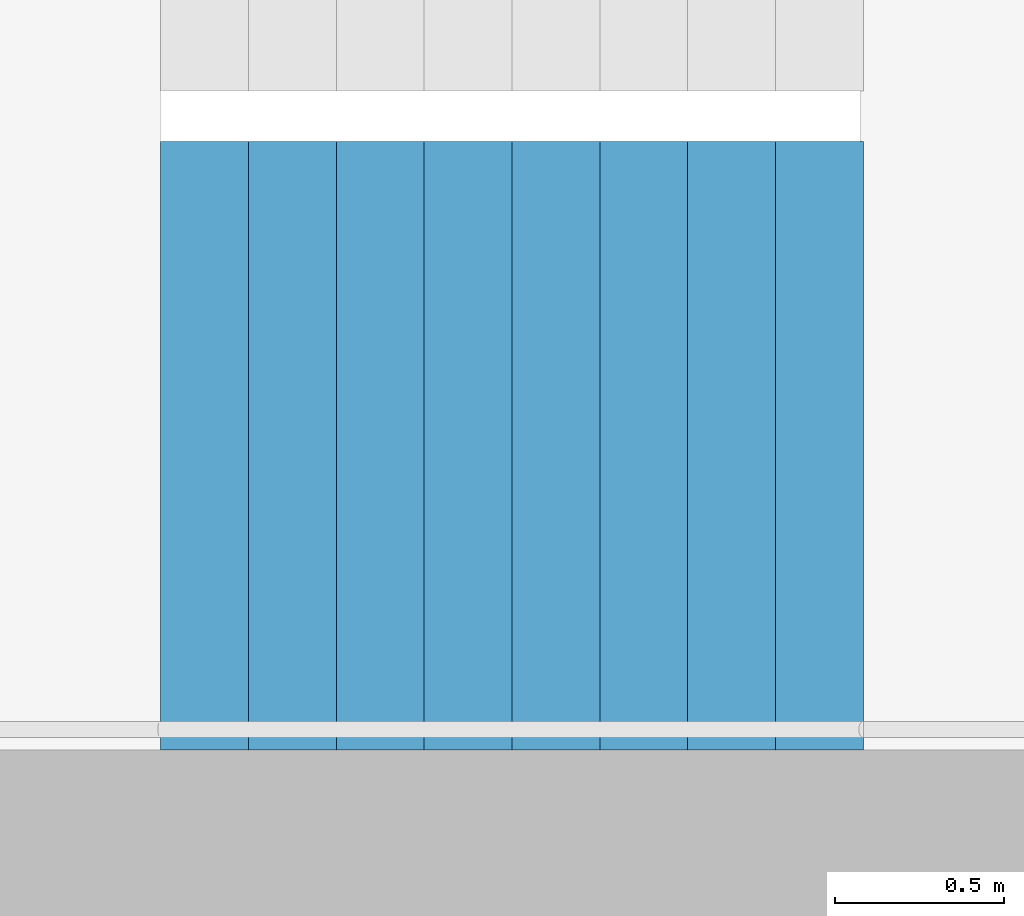
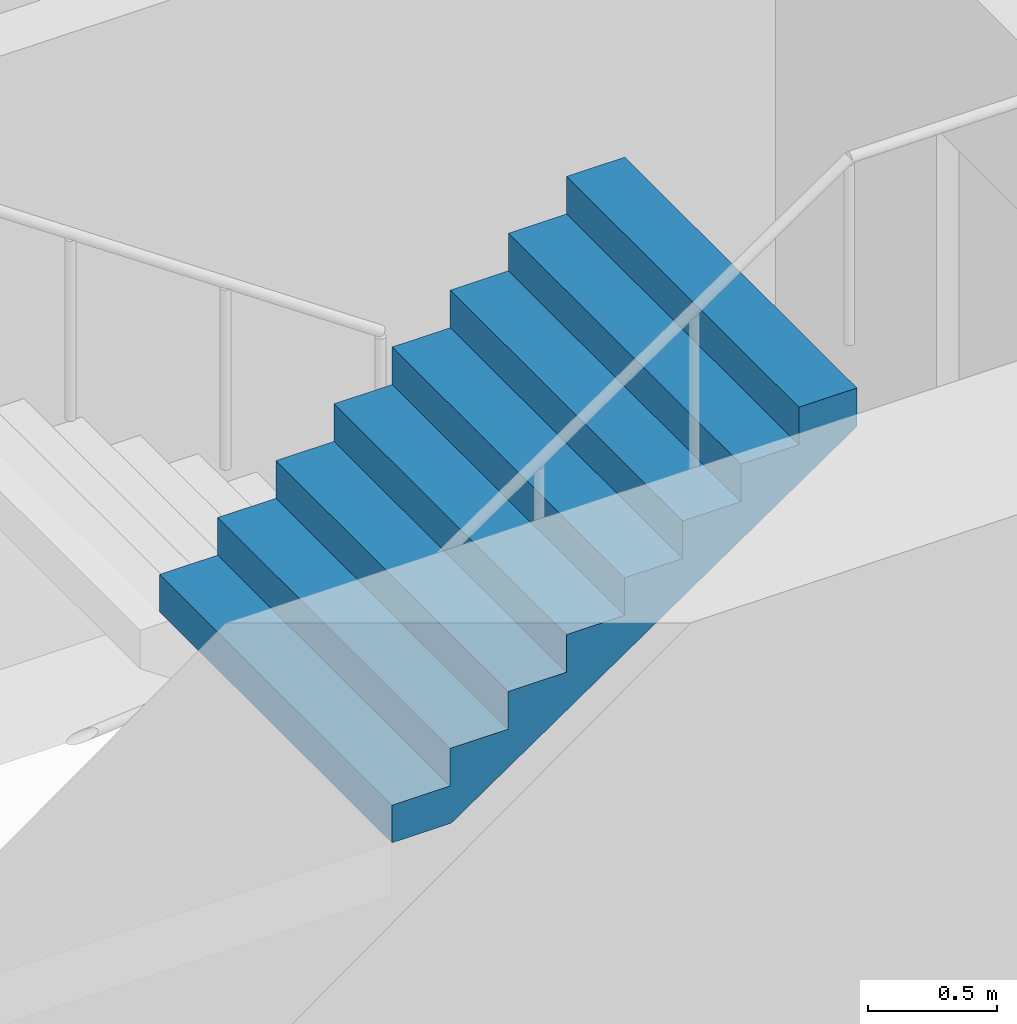
# One storey, part 18 of 26: 1 stair flight, 1 element without a shape of its own.
"""IFC4 building model written with IfcOpenShell, lengths in metres."""

import ifcopenshell
import ifcopenshell.guid

model = None  # the IFC model being written
_history = None  # IfcOwnerHistory: only IFC2X3 demands one
_inside = {}  # id of a spatial element -> (the spatial element, [elements in it])
_under = {}  # id of a project, library or spatial element -> (it, [spatial elements below it])
_declared = {}  # id of a project -> (the project, [libraries it declares])
_typed = {}  # id of a type object -> (the type object, [elements of that type])
_made_of = {}  # id of a material, layer set ... -> (it, [elements and type objects made of it])


def new_model(schema):
    """Start an empty IFC model of exactly this schema.

    Asked for "IFC4X3", IfcOpenShell would pick the latest addendum, in which some entities
    have other attributes; the version numbers below select the first issue.
    IFC2X3 requires an IfcOwnerHistory on every rooted entity: one is made here for all.
    """
    global model, _history
    if schema == "IFC4X3":
        model = ifcopenshell.file(schema_version=(4, 3, 0, 0))
    else:
        model = ifcopenshell.file(schema=schema)
    _inside.clear()
    _under.clear()
    _declared.clear()
    _typed.clear()
    _made_of.clear()
    _history = None
    if model.schema == "IFC2X3":
        org = make("IfcOrganization", Name="unknown")
        user = make(
            "IfcPersonAndOrganization",
            ThePerson=make("IfcPerson", FamilyName="unknown"),
            TheOrganization=org,
        )
        app = make(
            "IfcApplication",
            ApplicationDeveloper=org,
            Version="unknown",
            ApplicationFullName="unknown",
            ApplicationIdentifier="unknown",
        )
        _history = make(
            "IfcOwnerHistory",
            OwningUser=user,
            OwningApplication=app,
            ChangeAction="ADDED",
            CreationDate=0,
        )
    return model


def make(cls, **values):
    """One entity of the class cls with the attributes given. An attribute that is None is left unset."""
    return model.create_entity(
        cls, **{name: value for name, value in values.items() if value is not None}
    )


def rooted(cls, **values):
    """An entity with a GlobalId (a new one), such as an element, a storey or a relation."""
    return make(cls, GlobalId=ifcopenshell.guid.new(), OwnerHistory=_history, **values)


def si_unit(unit_type, name, prefix=None):
    """IfcSIUnit, for example si_unit("LENGTHUNIT", "METRE", prefix="MILLI")."""
    return make("IfcSIUnit", UnitType=unit_type, Prefix=prefix, Name=name)


def assignment(units):
    """IfcUnitAssignment: the units of a project."""
    return None if units is None else make("IfcUnitAssignment", Units=units)


def point(xyz):
    """IfcCartesianPoint."""
    return None if xyz is None else make("IfcCartesianPoint", Coordinates=xyz)


def direction(xyz):
    """IfcDirection."""
    return None if xyz is None else make("IfcDirection", DirectionRatios=xyz)


def frame(location, z_axis=None, x_axis=None):
    """IfcAxis2Placement3D, a coordinate frame: its origin and axes. An axis left out is left unset."""
    return make(
        "IfcAxis2Placement3D",
        Location=point(location),
        Axis=direction(z_axis),
        RefDirection=direction(x_axis),
    )


def origin():
    """The frame at (0, 0, 0) with its axes left unset."""
    return frame((0.0, 0.0, 0.0))


def place(relative_to, where):
    """IfcLocalPlacement: puts the frame where relative to a parent placement (None: the world)."""
    return make(
        "IfcLocalPlacement", PlacementRelTo=relative_to, RelativePlacement=where
    )


def context(
    kind, dimensions, precision=None, world=None, true_north=None, identifier=None
):
    """IfcGeometricRepresentationContext, for example the 3D "Model" context."""
    return make(
        "IfcGeometricRepresentationContext",
        ContextIdentifier=identifier,
        ContextType=kind,
        CoordinateSpaceDimension=dimensions,
        Precision=precision,
        WorldCoordinateSystem=world,
        TrueNorth=true_north,
    )


def subcontext(parent, identifier, kind, view, scale=None):
    """IfcGeometricRepresentationSubContext, for example "Body" below "Model"."""
    return make(
        "IfcGeometricRepresentationSubContext",
        ContextIdentifier=identifier,
        ContextType=kind,
        ParentContext=parent,
        TargetScale=scale,
        TargetView=view,
    )


def project(units=None, contexts=None):
    """IfcProject with its units and contexts."""
    return rooted(
        "IfcProject",
        Name="project",
        RepresentationContexts=contexts,
        UnitsInContext=assignment(units),
    )


def spatial(cls, under=None, at=None, **own):
    """A site, building, storey or space (cls), placed at a placement, below another one or the project."""
    s = rooted(cls, ObjectPlacement=at, **own)
    if under is not None:
        _under.setdefault(under.id(), (under, []))[1].append(s)
    return s


def point_list(points):
    """IfcCartesianPointList2D or 3D."""
    cls = (
        "IfcCartesianPointList2D" if len(points[0]) == 2 else "IfcCartesianPointList3D"
    )
    return make(cls, CoordList=points)


def triangles(points, corners, closed=None, point_numbers=None):
    """IfcTriangulatedFaceSet: each triangle names its three corners, points numbered from 1."""
    return make(
        "IfcTriangulatedFaceSet",
        Coordinates=point_list(points),
        Closed=closed,
        CoordIndex=corners,
        PnIndex=point_numbers,
    )


def shape(context_of_items, identifier, shape_type, items):
    """IfcShapeRepresentation: the items that make up one representation, for example the "Body"."""
    return make(
        "IfcShapeRepresentation",
        ContextOfItems=context_of_items,
        RepresentationIdentifier=identifier,
        RepresentationType=shape_type,
        Items=items,
    )


def material(Name=None, Category=None):
    """IfcMaterial."""
    return make("IfcMaterial", Name=Name, Category=Category)


def made_of(thing, what):
    """Note that an element or type object is made of a material, layer set ...; save() writes the relation."""
    if what is not None:
        _made_of.setdefault(what.id(), (what, []))[1].append(thing)
    return thing


def type_object(cls, material=None, **own):
    """A type object (cls), such as IfcWallType, which elements share."""
    return made_of(rooted(cls, **own), material)


def element(
    cls,
    number,
    at=None,
    inside=None,
    cuts=None,
    type_object=None,
    material=None,
    context=None,
    identifier="Body",
    shape_type=None,
    held_by="IfcProductDefinitionShape",
    body=None,
    shapes=None,
    **own,
):
    """One element of the class cls, such as IfcWall. Its Tag is "e" and its number.

    at: its placement. inside: the storey or other place that contains it. cuts: it is an
    opening in that element (IfcRelVoidsElement). A single representation is given by context,
    identifier, shape_type and body (its items); several are given by shapes. held_by: the class
    of the entity that holds the representations. save() writes the other relations.
    """
    e = rooted(cls, Tag="e%d" % number, ObjectPlacement=at, **own)
    if body is not None:
        shapes = [shape(context, identifier, shape_type, body)]
    if shapes is not None:
        e.Representation = make(held_by, Representations=shapes)
    if inside is not None:
        _inside.setdefault(inside.id(), (inside, []))[1].append(e)
    if cuts is not None:
        rooted(
            "IfcRelVoidsElement", RelatingBuildingElement=cuts, RelatedOpeningElement=e
        )
    if type_object is not None:
        _typed.setdefault(type_object.id(), (type_object, []))[1].append(e)
    return made_of(e, material)


def aggregate(whole, parts):
    """IfcRelAggregates: a whole, such as a stair, and the parts it consists of."""
    return rooted("IfcRelAggregates", RelatingObject=whole, RelatedObjects=parts)


def save(model, path):
    """Write the relations noted so far, then the file.

    IfcRelAggregates (storeys below a building ...), IfcRelContainedInSpatialStructure (elements
    in a storey), IfcRelDefinesByType, IfcRelAssociatesMaterial and IfcRelDeclares: one each for
    every whole, place, type object, material and project.
    """
    for whole, parts in _under.values():
        aggregate(whole, parts)
    for where, things in _inside.values():
        rooted(
            "IfcRelContainedInSpatialStructure",
            RelatedElements=things,
            RelatingStructure=where,
        )
    for kind, things in _typed.values():
        rooted("IfcRelDefinesByType", RelatedObjects=things, RelatingType=kind)
    for what, things in _made_of.values():
        rooted("IfcRelAssociatesMaterial", RelatedObjects=things, RelatingMaterial=what)
    for by, libraries in _declared.values():
        rooted("IfcRelDeclares", RelatingContext=by, RelatedDefinitions=libraries)
    model.write(path)


model = new_model("IFC4")

# Units and contexts
model_context = context("Model", 3, precision=1e-05, world=origin(), true_north=direction((0.0, 1.0)))
body_context = subcontext(model_context, "Body", "Model", "MODEL_VIEW")
ifc_project = project(units=[si_unit("LENGTHUNIT", "METRE"), si_unit("AREAUNIT", "SQUARE_METRE"), si_unit("VOLUMEUNIT", "CUBIC_METRE"), si_unit("PLANEANGLEUNIT", "RADIAN"), si_unit("MASSUNIT", "GRAM", prefix="KILO")], contexts=[model_context])

# Site, building, storey
site_placement = place(None, origin())
site = spatial("IfcSite", under=ifc_project, at=site_placement, CompositionType="ELEMENT")
building_placement = place(site_placement, origin())
building = spatial("IfcBuilding", under=site, at=building_placement, Name="Hakoniwa Tower and Hamabe Station Hall", CompositionType="ELEMENT")
storey_placement = place(building_placement, frame((0.0, 0.0, 172.60009765625)))
storey = spatial("IfcBuildingStorey", under=building, at=storey_placement, Name="L49", CompositionType="ELEMENT", Elevation=172.60009765625)

# Stair, stair flight
ifc_material_1 = material(Name="Concrete C40", Category="concrete")
stair_type = type_object("IfcStairType", Name="ESCAPE STAIR 1800", PredefinedType="HALF_TURN_STAIR", material=ifc_material_1)
stair_placement = place(storey_placement, origin())
stair = element("IfcStair", 1, at=stair_placement, inside=storey, type_object=stair_type, Name="Escape stair ST-2 L49", PredefinedType="HALF_TURN_STAIR")
ifc_material_2 = material(Name="Concrete C40", Category="concrete")
stair_flight_type = type_object("IfcStairFlightType", Name="STAIR FLIGHT 1800", PredefinedType="STRAIGHT", material=ifc_material_2)
stair_flight_placement = place(storey_placement, frame((-25.47998046875, -6.60009765625, 1.599853515625), z_axis=(0.0, 0.0, 1.0), x_axis=(1.0, 0.0, 0.0)))
stair_flight = element("IfcStairFlight", 2, at=stair_flight_placement, type_object=stair_flight_type, Name="ST-2 flight 2", NumberOfRisers=9, NumberOfTreads=8, PredefinedType="STRAIGHT", RiserHeight=0.177777778, TreadLength=0.26, context=body_context, shape_type="Tessellation", body=[
    triangles([(0.0, 0.89990234375, 0.0), (0.260009765625, 0.89990234375, 0.0), (0.265625, 0.89990234375, 0.0), (0.52001953125, 0.89990234375, 0.174072265625), (0.780029296875, 0.89990234375, 0.351806640625), (1.0400390625, 0.89990234375, 0.529541015625), (1.300048828125, 0.89990234375, 0.707275390625), (1.56005859375, 0.89990234375, 0.885009765625), (1.820068359375, 0.89990234375, 1.062744140625), (2.080078125, 0.89990234375, 1.24072265625), (2.080078125, 0.89990234375, 1.422119140625), (1.820068359375, 0.89990234375, 1.422119140625), (1.820068359375, 0.89990234375, 1.244384765625), (1.56005859375, 0.89990234375, 1.244384765625), (1.56005859375, 0.89990234375, 1.066650390625), (1.300048828125, 0.89990234375, 1.066650390625), (1.300048828125, 0.89990234375, 0.888916015625), (1.0400390625, 0.89990234375, 0.888916015625), (1.0400390625, 0.89990234375, 0.711181640625), (0.780029296875, 0.89990234375, 0.711181640625), (0.780029296875, 0.89990234375, 0.533447265625), (0.52001953125, 0.89990234375, 0.533447265625), (0.52001953125, 0.89990234375, 0.35546875), (0.265625, 0.89990234375, 0.35546875), (0.260009765625, 0.89990234375, 0.35546875), (0.260009765625, 0.89990234375, 0.177734375), (0.0, 0.89990234375, 0.177734375), (0.0, 0.06005859375, 0.0), (0.260009765625, 0.06005859375, 0.0), (0.265625, 0.06005859375, 0.0), (0.52001953125, 0.06005859375, 0.174072265625), (0.780029296875, 0.06005859375, 0.351806640625), (1.0400390625, 0.06005859375, 0.529541015625), (1.300048828125, 0.06005859375, 0.707275390625), (1.56005859375, 0.06005859375, 0.885009765625), (1.820068359375, 0.06005859375, 1.062744140625), (2.080078125, 0.06005859375, 1.24072265625), (2.080078125, 0.06005859375, 1.422119140625), (1.820068359375, 0.06005859375, 1.422119140625), (1.820068359375, 0.06005859375, 1.244384765625), (1.56005859375, 0.06005859375, 1.244384765625), (1.56005859375, 0.06005859375, 1.066650390625), (1.300048828125, 0.06005859375, 1.066650390625), (1.300048828125, 0.06005859375, 0.888916015625), (1.0400390625, 0.06005859375, 0.888916015625), (1.0400390625, 0.06005859375, 0.711181640625), (0.780029296875, 0.06005859375, 0.711181640625), (0.780029296875, 0.06005859375, 0.533447265625), (0.52001953125, 0.06005859375, 0.533447265625), (0.52001953125, 0.06005859375, 0.35546875), (0.265625, 0.06005859375, 0.35546875), (0.260009765625, 0.06005859375, 0.35546875), (0.260009765625, 0.06005859375, 0.177734375), (0.0, 0.06005859375, 0.177734375), (0.0, 0.04296875, 0.0), (0.260009765625, 0.04296875, 0.0), (0.265625, 0.04296875, 0.0), (0.52001953125, 0.04296875, 0.174072265625), (0.780029296875, 0.04296875, 0.351806640625), (1.0400390625, 0.04296875, 0.529541015625), (1.300048828125, 0.04296875, 0.707275390625), (1.56005859375, 0.04296875, 0.885009765625), (1.820068359375, 0.04296875, 1.062744140625), (2.080078125, 0.04296875, 1.24072265625), (2.080078125, 0.04296875, 1.422119140625), (1.820068359375, 0.04296875, 1.422119140625), (1.820068359375, 0.04296875, 1.244384765625), (1.56005859375, 0.04296875, 1.244384765625), (1.56005859375, 0.04296875, 1.066650390625), (1.300048828125, 0.04296875, 1.066650390625), (1.300048828125, 0.04296875, 0.888916015625), (1.0400390625, 0.04296875, 0.888916015625), (1.0400390625, 0.04296875, 0.711181640625), (0.780029296875, 0.04296875, 0.711181640625), (0.780029296875, 0.04296875, 0.533447265625), (0.52001953125, 0.04296875, 0.533447265625), (0.52001953125, 0.04296875, 0.35546875), (0.265625, 0.04296875, 0.35546875), (0.260009765625, 0.04296875, 0.35546875), (0.260009765625, 0.04296875, 0.177734375), (0.0, 0.04296875, 0.177734375), (0.0, 0.025634765625, 0.0), (0.260009765625, 0.025634765625, 0.0), (0.265625, 0.025634765625, 0.0), (0.52001953125, 0.025634765625, 0.174072265625), (0.780029296875, 0.025634765625, 0.351806640625), (1.0400390625, 0.025634765625, 0.529541015625), (1.300048828125, 0.025634765625, 0.707275390625), (1.56005859375, 0.025634765625, 0.885009765625), (1.820068359375, 0.025634765625, 1.062744140625), (2.080078125, 0.025634765625, 1.24072265625), (2.080078125, 0.025634765625, 1.422119140625), (1.820068359375, 0.025634765625, 1.422119140625), (1.820068359375, 0.025634765625, 1.244384765625), (1.56005859375, 0.025634765625, 1.244384765625), (1.56005859375, 0.025634765625, 1.066650390625), (1.300048828125, 0.025634765625, 1.066650390625), (1.300048828125, 0.025634765625, 0.888916015625), (1.0400390625, 0.025634765625, 0.888916015625), (1.0400390625, 0.025634765625, 0.711181640625), (0.780029296875, 0.025634765625, 0.711181640625), (0.780029296875, 0.025634765625, 0.533447265625), (0.52001953125, 0.025634765625, 0.533447265625), (0.52001953125, 0.025634765625, 0.35546875), (0.265625, 0.025634765625, 0.35546875), (0.260009765625, 0.025634765625, 0.35546875), (0.260009765625, 0.025634765625, 0.177734375), (0.0, 0.025634765625, 0.177734375), (0.0, 0.008544921875, 0.0), (0.260009765625, 0.008544921875, 0.0), (0.265625, 0.008544921875, 0.0), (0.52001953125, 0.008544921875, 0.174072265625), (0.780029296875, 0.008544921875, 0.351806640625), (1.0400390625, 0.008544921875, 0.529541015625), (1.300048828125, 0.008544921875, 0.707275390625), (1.56005859375, 0.008544921875, 0.885009765625), (1.820068359375, 0.008544921875, 1.062744140625), (2.080078125, 0.008544921875, 1.24072265625), (2.080078125, 0.008544921875, 1.422119140625), (1.820068359375, 0.008544921875, 1.422119140625), (1.820068359375, 0.008544921875, 1.244384765625), (1.56005859375, 0.008544921875, 1.244384765625), (1.56005859375, 0.008544921875, 1.066650390625), (1.300048828125, 0.008544921875, 1.066650390625), (1.300048828125, 0.008544921875, 0.888916015625), (1.0400390625, 0.008544921875, 0.888916015625), (1.0400390625, 0.008544921875, 0.711181640625), (0.780029296875, 0.008544921875, 0.711181640625), (0.780029296875, 0.008544921875, 0.533447265625), (0.52001953125, 0.008544921875, 0.533447265625), (0.52001953125, 0.008544921875, 0.35546875), (0.265625, 0.008544921875, 0.35546875), (0.260009765625, 0.008544921875, 0.35546875), (0.260009765625, 0.008544921875, 0.177734375), (0.0, 0.008544921875, 0.177734375), (0.0, -0.008544921875, 0.0), (0.260009765625, -0.008544921875, 0.0), (0.265625, -0.008544921875, 0.0), (0.52001953125, -0.008544921875, 0.174072265625), (0.780029296875, -0.008544921875, 0.351806640625), (1.0400390625, -0.008544921875, 0.529541015625), (1.300048828125, -0.008544921875, 0.707275390625), (1.56005859375, -0.008544921875, 0.885009765625), (1.820068359375, -0.008544921875, 1.062744140625), (2.080078125, -0.008544921875, 1.24072265625), (2.080078125, -0.008544921875, 1.422119140625), (1.820068359375, -0.008544921875, 1.422119140625), (1.820068359375, -0.008544921875, 1.244384765625), (1.56005859375, -0.008544921875, 1.244384765625), (1.56005859375, -0.008544921875, 1.066650390625), (1.300048828125, -0.008544921875, 1.066650390625), (1.300048828125, -0.008544921875, 0.888916015625), (1.0400390625, -0.008544921875, 0.888916015625), (1.0400390625, -0.008544921875, 0.711181640625), (0.780029296875, -0.008544921875, 0.711181640625), (0.780029296875, -0.008544921875, 0.533447265625), (0.52001953125, -0.008544921875, 0.533447265625), (0.52001953125, -0.008544921875, 0.35546875), (0.265625, -0.008544921875, 0.35546875), (0.260009765625, -0.008544921875, 0.35546875), (0.260009765625, -0.008544921875, 0.177734375), (0.0, -0.008544921875, 0.177734375), (0.0, -0.025634765625, 0.0), (0.260009765625, -0.025634765625, 0.0), (0.265625, -0.025634765625, 0.0), (0.52001953125, -0.025634765625, 0.174072265625), (0.780029296875, -0.025634765625, 0.351806640625), (1.0400390625, -0.025634765625, 0.529541015625), (1.300048828125, -0.025634765625, 0.707275390625), (1.56005859375, -0.025634765625, 0.885009765625), (1.820068359375, -0.025634765625, 1.062744140625), (2.080078125, -0.025634765625, 1.24072265625), (2.080078125, -0.025634765625, 1.422119140625), (1.820068359375, -0.025634765625, 1.422119140625), (1.820068359375, -0.025634765625, 1.244384765625), (1.56005859375, -0.025634765625, 1.244384765625), (1.56005859375, -0.025634765625, 1.066650390625), (1.300048828125, -0.025634765625, 1.066650390625), (1.300048828125, -0.025634765625, 0.888916015625), (1.0400390625, -0.025634765625, 0.888916015625), (1.0400390625, -0.025634765625, 0.711181640625), (0.780029296875, -0.025634765625, 0.711181640625), (0.780029296875, -0.025634765625, 0.533447265625), (0.52001953125, -0.025634765625, 0.533447265625), (0.52001953125, -0.025634765625, 0.35546875), (0.265625, -0.025634765625, 0.35546875), (0.260009765625, -0.025634765625, 0.35546875), (0.260009765625, -0.025634765625, 0.177734375), (0.0, -0.025634765625, 0.177734375), (0.0, -0.04296875, 0.0), (0.260009765625, -0.04296875, 0.0), (0.265625, -0.04296875, 0.0), (0.52001953125, -0.04296875, 0.174072265625), (0.780029296875, -0.04296875, 0.351806640625), (1.0400390625, -0.04296875, 0.529541015625), (1.300048828125, -0.04296875, 0.707275390625), (1.56005859375, -0.04296875, 0.885009765625), (1.820068359375, -0.04296875, 1.062744140625), (2.080078125, -0.04296875, 1.24072265625), (2.080078125, -0.04296875, 1.422119140625), (1.820068359375, -0.04296875, 1.422119140625), (1.820068359375, -0.04296875, 1.244384765625), (1.56005859375, -0.04296875, 1.244384765625), (1.56005859375, -0.04296875, 1.066650390625), (1.300048828125, -0.04296875, 1.066650390625), (1.300048828125, -0.04296875, 0.888916015625), (1.0400390625, -0.04296875, 0.888916015625), (1.0400390625, -0.04296875, 0.711181640625), (0.780029296875, -0.04296875, 0.711181640625), (0.780029296875, -0.04296875, 0.533447265625), (0.52001953125, -0.04296875, 0.533447265625), (0.52001953125, -0.04296875, 0.35546875), (0.265625, -0.04296875, 0.35546875), (0.260009765625, -0.04296875, 0.35546875), (0.260009765625, -0.04296875, 0.177734375), (0.0, -0.04296875, 0.177734375), (0.0, -0.06005859375, 0.0), (0.260009765625, -0.06005859375, 0.0), (0.265625, -0.06005859375, 0.0), (0.52001953125, -0.06005859375, 0.174072265625), (0.780029296875, -0.06005859375, 0.351806640625), (1.0400390625, -0.06005859375, 0.529541015625), (1.300048828125, -0.06005859375, 0.707275390625), (1.56005859375, -0.06005859375, 0.885009765625), (1.820068359375, -0.06005859375, 1.062744140625), (2.080078125, -0.06005859375, 1.24072265625), (2.080078125, -0.06005859375, 1.422119140625), (1.820068359375, -0.06005859375, 1.422119140625), (1.820068359375, -0.06005859375, 1.244384765625), (1.56005859375, -0.06005859375, 1.244384765625), (1.56005859375, -0.06005859375, 1.066650390625), (1.300048828125, -0.06005859375, 1.066650390625), (1.300048828125, -0.06005859375, 0.888916015625), (1.0400390625, -0.06005859375, 0.888916015625), (1.0400390625, -0.06005859375, 0.711181640625), (0.780029296875, -0.06005859375, 0.711181640625), (0.780029296875, -0.06005859375, 0.533447265625), (0.52001953125, -0.06005859375, 0.533447265625), (0.52001953125, -0.06005859375, 0.35546875), (0.265625, -0.06005859375, 0.35546875), (0.260009765625, -0.06005859375, 0.35546875), (0.260009765625, -0.06005859375, 0.177734375), (0.0, -0.06005859375, 0.177734375), (0.0, -0.89990234375, 0.0), (0.260009765625, -0.89990234375, 0.0), (0.265625, -0.89990234375, 0.0), (0.52001953125, -0.89990234375, 0.174072265625), (0.780029296875, -0.89990234375, 0.351806640625), (1.0400390625, -0.89990234375, 0.529541015625), (1.300048828125, -0.89990234375, 0.707275390625), (1.56005859375, -0.89990234375, 0.885009765625), (1.820068359375, -0.89990234375, 1.062744140625), (2.080078125, -0.89990234375, 1.24072265625), (2.080078125, -0.89990234375, 1.422119140625), (1.820068359375, -0.89990234375, 1.422119140625), (1.820068359375, -0.89990234375, 1.244384765625), (1.56005859375, -0.89990234375, 1.244384765625), (1.56005859375, -0.89990234375, 1.066650390625), (1.300048828125, -0.89990234375, 1.066650390625), (1.300048828125, -0.89990234375, 0.888916015625), (1.0400390625, -0.89990234375, 0.888916015625), (1.0400390625, -0.89990234375, 0.711181640625), (0.780029296875, -0.89990234375, 0.711181640625), (0.780029296875, -0.89990234375, 0.533447265625), (0.52001953125, -0.89990234375, 0.533447265625), (0.52001953125, -0.89990234375, 0.35546875), (0.265625, -0.89990234375, 0.35546875), (0.260009765625, -0.89990234375, 0.35546875), (0.260009765625, -0.89990234375, 0.177734375), (0.0, -0.89990234375, 0.177734375)], [[2, 27, 26], [245, 269, 270], [2, 1, 27], [245, 270, 244], [3, 25, 24], [246, 267, 268], [3, 26, 25], [246, 268, 269], [3, 2, 26], [246, 269, 245], [4, 24, 23], [247, 266, 267], [4, 3, 24], [247, 267, 246], [5, 22, 21], [248, 264, 265], [5, 23, 22], [248, 265, 266], [5, 4, 23], [248, 266, 247], [6, 20, 19], [249, 262, 263], [6, 21, 20], [249, 263, 264], [6, 5, 21], [249, 264, 248], [7, 18, 17], [250, 260, 261], [7, 19, 18], [250, 261, 262], [7, 6, 19], [250, 262, 249], [8, 16, 15], [251, 258, 259], [8, 17, 16], [251, 259, 260], [8, 7, 17], [251, 260, 250], [9, 14, 13], [252, 256, 257], [9, 15, 14], [252, 257, 258], [9, 8, 15], [252, 258, 251], [10, 12, 11], [253, 254, 255], [10, 13, 12], [253, 255, 256], [10, 9, 13], [253, 256, 252], [1, 2, 29], [1, 29, 28], [28, 29, 56], [28, 56, 55], [55, 56, 83], [55, 83, 82], [82, 83, 110], [82, 110, 109], [109, 110, 137], [109, 137, 136], [136, 137, 164], [136, 164, 163], [163, 164, 191], [163, 191, 190], [190, 191, 218], [190, 218, 217], [217, 218, 245], [217, 245, 244], [2, 3, 30], [2, 30, 29], [29, 30, 57], [29, 57, 56], [56, 57, 84], [56, 84, 83], [83, 84, 111], [83, 111, 110], [110, 111, 138], [110, 138, 137], [137, 138, 165], [137, 165, 164], [164, 165, 192], [164, 192, 191], [191, 192, 219], [191, 219, 218], [218, 219, 246], [218, 246, 245], [3, 4, 31], [3, 31, 30], [30, 31, 58], [30, 58, 57], [57, 58, 85], [57, 85, 84], [84, 85, 112], [84, 112, 111], [111, 112, 139], [111, 139, 138], [138, 139, 166], [138, 166, 165], [165, 166, 193], [165, 193, 192], [192, 193, 220], [192, 220, 219], [219, 220, 247], [219, 247, 246], [4, 5, 32], [4, 32, 31], [31, 32, 59], [31, 59, 58], [58, 59, 86], [58, 86, 85], [85, 86, 113], [85, 113, 112], [112, 113, 140], [112, 140, 139], [139, 140, 167], [139, 167, 166], [166, 167, 194], [166, 194, 193], [193, 194, 221], [193, 221, 220], [220, 221, 248], [220, 248, 247], [5, 6, 33], [5, 33, 32], [32, 33, 60], [32, 60, 59], [59, 60, 87], [59, 87, 86], [86, 87, 114], [86, 114, 113], [113, 114, 141], [113, 141, 140], [140, 141, 168], [140, 168, 167], [167, 168, 195], [167, 195, 194], [194, 195, 222], [194, 222, 221], [221, 222, 249], [221, 249, 248], [6, 7, 34], [6, 34, 33], [33, 34, 61], [33, 61, 60], [60, 61, 88], [60, 88, 87], [87, 88, 115], [87, 115, 114], [114, 115, 142], [114, 142, 141], [141, 142, 169], [141, 169, 168], [168, 169, 196], [168, 196, 195], [195, 196, 223], [195, 223, 222], [222, 223, 250], [222, 250, 249], [7, 8, 35], [7, 35, 34], [34, 35, 62], [34, 62, 61], [61, 62, 89], [61, 89, 88], [88, 89, 116], [88, 116, 115], [115, 116, 143], [115, 143, 142], [142, 143, 170], [142, 170, 169], [169, 170, 197], [169, 197, 196], [196, 197, 224], [196, 224, 223], [223, 224, 251], [223, 251, 250], [8, 9, 36], [8, 36, 35], [35, 36, 63], [35, 63, 62], [62, 63, 90], [62, 90, 89], [89, 90, 117], [89, 117, 116], [116, 117, 144], [116, 144, 143], [143, 144, 171], [143, 171, 170], [170, 171, 198], [170, 198, 197], [197, 198, 225], [197, 225, 224], [224, 225, 252], [224, 252, 251], [9, 10, 37], [9, 37, 36], [36, 37, 64], [36, 64, 63], [63, 64, 91], [63, 91, 90], [90, 91, 118], [90, 118, 117], [117, 118, 145], [117, 145, 144], [144, 145, 172], [144, 172, 171], [171, 172, 199], [171, 199, 198], [198, 199, 226], [198, 226, 225], [225, 226, 253], [225, 253, 252], [10, 11, 38], [10, 38, 37], [37, 38, 65], [37, 65, 64], [64, 65, 92], [64, 92, 91], [91, 92, 119], [91, 119, 118], [118, 119, 146], [118, 146, 145], [145, 146, 173], [145, 173, 172], [172, 173, 200], [172, 200, 199], [199, 200, 227], [199, 227, 226], [226, 227, 254], [226, 254, 253], [11, 12, 39], [11, 39, 38], [38, 39, 66], [38, 66, 65], [65, 66, 93], [65, 93, 92], [92, 93, 120], [92, 120, 119], [119, 120, 147], [119, 147, 146], [146, 147, 174], [146, 174, 173], [173, 174, 201], [173, 201, 200], [200, 201, 228], [200, 228, 227], [227, 228, 255], [227, 255, 254], [12, 13, 40], [12, 40, 39], [39, 40, 67], [39, 67, 66], [66, 67, 94], [66, 94, 93], [93, 94, 121], [93, 121, 120], [120, 121, 148], [120, 148, 147], [147, 148, 175], [147, 175, 174], [174, 175, 202], [174, 202, 201], [201, 202, 229], [201, 229, 228], [228, 229, 256], [228, 256, 255], [13, 14, 41], [13, 41, 40], [40, 41, 68], [40, 68, 67], [67, 68, 95], [67, 95, 94], [94, 95, 122], [94, 122, 121], [121, 122, 149], [121, 149, 148], [148, 149, 176], [148, 176, 175], [175, 176, 203], [175, 203, 202], [202, 203, 230], [202, 230, 229], [229, 230, 257], [229, 257, 256], [14, 15, 42], [14, 42, 41], [41, 42, 69], [41, 69, 68], [68, 69, 96], [68, 96, 95], [95, 96, 123], [95, 123, 122], [122, 123, 150], [122, 150, 149], [149, 150, 177], [149, 177, 176], [176, 177, 204], [176, 204, 203], [203, 204, 231], [203, 231, 230], [230, 231, 258], [230, 258, 257], [15, 16, 43], [15, 43, 42], [42, 43, 70], [42, 70, 69], [69, 70, 97], [69, 97, 96], [96, 97, 124], [96, 124, 123], [123, 124, 151], [123, 151, 150], [150, 151, 178], [150, 178, 177], [177, 178, 205], [177, 205, 204], [204, 205, 232], [204, 232, 231], [231, 232, 259], [231, 259, 258], [16, 17, 44], [16, 44, 43], [43, 44, 71], [43, 71, 70], [70, 71, 98], [70, 98, 97], [97, 98, 125], [97, 125, 124], [124, 125, 152], [124, 152, 151], [151, 152, 179], [151, 179, 178], [178, 179, 206], [178, 206, 205], [205, 206, 233], [205, 233, 232], [232, 233, 260], [232, 260, 259], [17, 18, 45], [17, 45, 44], [44, 45, 72], [44, 72, 71], [71, 72, 99], [71, 99, 98], [98, 99, 126], [98, 126, 125], [125, 126, 153], [125, 153, 152], [152, 153, 180], [152, 180, 179], [179, 180, 207], [179, 207, 206], [206, 207, 234], [206, 234, 233], [233, 234, 261], [233, 261, 260], [18, 19, 46], [18, 46, 45], [45, 46, 73], [45, 73, 72], [72, 73, 100], [72, 100, 99], [99, 100, 127], [99, 127, 126], [126, 127, 154], [126, 154, 153], [153, 154, 181], [153, 181, 180], [180, 181, 208], [180, 208, 207], [207, 208, 235], [207, 235, 234], [234, 235, 262], [234, 262, 261], [19, 20, 47], [19, 47, 46], [46, 47, 74], [46, 74, 73], [73, 74, 101], [73, 101, 100], [100, 101, 128], [100, 128, 127], [127, 128, 155], [127, 155, 154], [154, 155, 182], [154, 182, 181], [181, 182, 209], [181, 209, 208], [208, 209, 236], [208, 236, 235], [235, 236, 263], [235, 263, 262], [20, 21, 48], [20, 48, 47], [47, 48, 75], [47, 75, 74], [74, 75, 102], [74, 102, 101], [101, 102, 129], [101, 129, 128], [128, 129, 156], [128, 156, 155], [155, 156, 183], [155, 183, 182], [182, 183, 210], [182, 210, 209], [209, 210, 237], [209, 237, 236], [236, 237, 264], [236, 264, 263], [21, 22, 49], [21, 49, 48], [48, 49, 76], [48, 76, 75], [75, 76, 103], [75, 103, 102], [102, 103, 130], [102, 130, 129], [129, 130, 157], [129, 157, 156], [156, 157, 184], [156, 184, 183], [183, 184, 211], [183, 211, 210], [210, 211, 238], [210, 238, 237], [237, 238, 265], [237, 265, 264], [22, 23, 50], [22, 50, 49], [49, 50, 77], [49, 77, 76], [76, 77, 104], [76, 104, 103], [103, 104, 131], [103, 131, 130], [130, 131, 158], [130, 158, 157], [157, 158, 185], [157, 185, 184], [184, 185, 212], [184, 212, 211], [211, 212, 239], [211, 239, 238], [238, 239, 266], [238, 266, 265], [23, 24, 51], [23, 51, 50], [50, 51, 78], [50, 78, 77], [77, 78, 105], [77, 105, 104], [104, 105, 132], [104, 132, 131], [131, 132, 159], [131, 159, 158], [158, 159, 186], [158, 186, 185], [185, 186, 213], [185, 213, 212], [212, 213, 240], [212, 240, 239], [239, 240, 267], [239, 267, 266], [24, 25, 52], [24, 52, 51], [51, 52, 79], [51, 79, 78], [78, 79, 106], [78, 106, 105], [105, 106, 133], [105, 133, 132], [132, 133, 160], [132, 160, 159], [159, 160, 187], [159, 187, 186], [186, 187, 214], [186, 214, 213], [213, 214, 241], [213, 241, 240], [240, 241, 268], [240, 268, 267], [25, 26, 53], [25, 53, 52], [52, 53, 80], [52, 80, 79], [79, 80, 107], [79, 107, 106], [106, 107, 134], [106, 134, 133], [133, 134, 161], [133, 161, 160], [160, 161, 188], [160, 188, 187], [187, 188, 215], [187, 215, 214], [214, 215, 242], [214, 242, 241], [241, 242, 269], [241, 269, 268], [26, 27, 54], [26, 54, 53], [53, 54, 81], [53, 81, 80], [80, 81, 108], [80, 108, 107], [107, 108, 135], [107, 135, 134], [134, 135, 162], [134, 162, 161], [161, 162, 189], [161, 189, 188], [188, 189, 216], [188, 216, 215], [215, 216, 243], [215, 243, 242], [242, 243, 270], [242, 270, 269], [27, 1, 28], [27, 28, 54], [54, 28, 55], [54, 55, 81], [81, 55, 82], [81, 82, 108], [108, 82, 109], [108, 109, 135], [135, 109, 136], [135, 136, 162], [162, 136, 163], [162, 163, 189], [189, 163, 190], [189, 190, 216], [216, 190, 217], [216, 217, 243], [243, 217, 244], [243, 244, 270]], closed=True),
])
aggregate(stair, [stair_flight])

save(model, "model.ifc")
